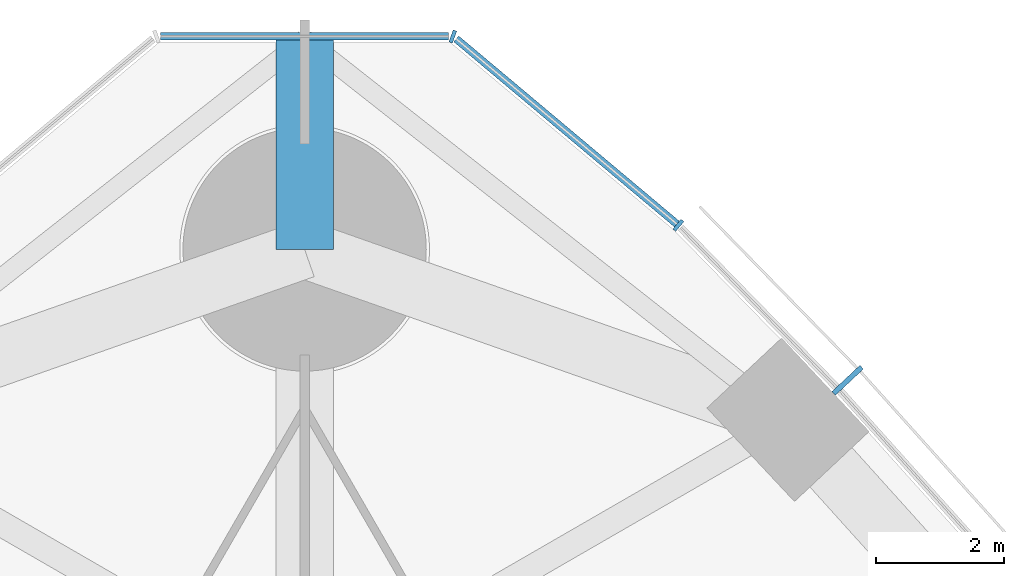
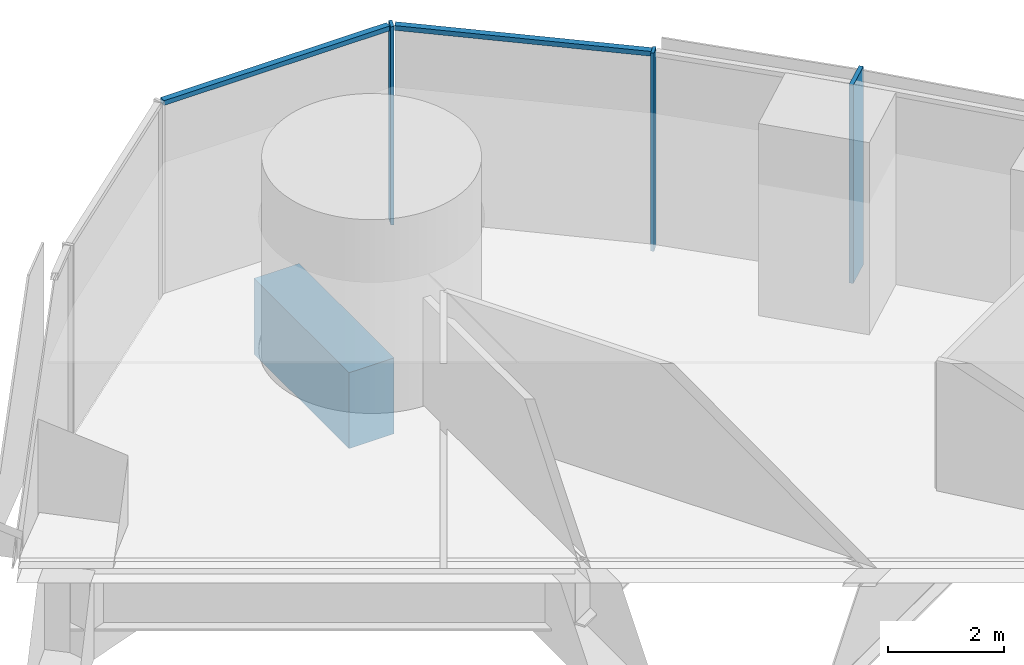
# One storey, part 8 of 19: 5 members, 1 beam, 2 elements without a shape of their own.
"""IFC4 building model written with IfcOpenShell, lengths in metres."""

from ifc_helpers import new_model, si_unit, direction, frame, origin, origin_2d, place, context, subcontext, project, spatial, rectangle, extrude, material, material_profile, profile_set, type_object, element, aggregate, save


model = new_model("IFC4")

# Units and contexts
model_context = context("Model", 3, precision=1e-05, world=origin(), true_north=direction((0.0, 1.0)))
body_context = subcontext(model_context, "Body", "Model", "MODEL_VIEW")
ifc_project = project(units=[si_unit("LENGTHUNIT", "METRE"), si_unit("AREAUNIT", "SQUARE_METRE"), si_unit("VOLUMEUNIT", "CUBIC_METRE"), si_unit("PLANEANGLEUNIT", "RADIAN"), si_unit("MASSUNIT", "GRAM", prefix="KILO")], contexts=[model_context])

# Site, building, storey
site_placement = place(None, origin())
site = spatial("IfcSite", under=ifc_project, at=site_placement, CompositionType="ELEMENT")
building_placement = place(site_placement, origin())
building = spatial("IfcBuilding", under=site, at=building_placement, Name="Trefoil Bronze Tower", CompositionType="ELEMENT")
storey_placement = place(building_placement, frame((0.0, 0.0, 193.89990234375)))
storey = spatial("IfcBuildingStorey", under=building, at=storey_placement, Name="L44", CompositionType="ELEMENT", Elevation=193.89990234375)

# Curtain wall, member
ifc_material_1 = material(Name="Tinted solar-control glass", Category="glass")
curtain_wall_type_1 = type_object("IfcCurtainWallType", Name="Bronze office curtain wall", PredefinedType="USERDEFINED", material=ifc_material_1)
curtain_wall_1_placement = place(storey_placement, origin())
curtain_wall_1 = element("IfcCurtainWall", 1, at=curtain_wall_1_placement, inside=storey, type_object=curtain_wall_type_1, Name="CW-A L44 F2", ObjectType="CURTAIN WALL", PredefinedType="USERDEFINED")
ifc_material_2 = material(Name="Bronze-finish aluminium", Category="aluminium")
ifc_material_profile_1 = material_profile(ifc_material_2, rectangle(XDim=0.60009765625, YDim=0.080078125, at=origin_2d()), Name="CW-A mullion")
ifc_profile_set_1 = profile_set([ifc_material_profile_1], Name="Bronze-finish aluminium")
member_type_1 = type_object("IfcMemberType", Name="Bronze office curtain wall mullion", PredefinedType="MULLION", material=ifc_profile_set_1)
member_1_placement = place(storey_placement, frame((8.482177734375, 30.95654296875, 0.0), z_axis=(0.0, 0.0, 1.0), x_axis=(-0.729859580661, -0.683597098091, 0.0)))
member_1 = element("IfcMember", 2, at=member_1_placement, type_object=member_type_1, Name="CW-A L44 F2 mullion 12", PredefinedType="MULLION", context=body_context, shape_type="SweptSolid", body=[
    extrude(rectangle(XDim=0.60009765625, YDim=0.080078125, at=origin_2d()), origin(), (0.0, 0.0, 1.0), 4.18017578125),
])
aggregate(curtain_wall_1, [member_1])

# Curtain wall, members
ifc_material_3 = material(Name="Tinted solar-control glass", Category="glass")
curtain_wall_type_2 = type_object("IfcCurtainWallType", Name="Bronze rounded corner curtain wall", PredefinedType="USERDEFINED", material=ifc_material_3)
curtain_wall_2_placement = place(storey_placement, origin())
curtain_wall_2 = element("IfcCurtainWall", 3, at=curtain_wall_2_placement, inside=storey, type_object=curtain_wall_type_2, Name="CW-B L44 K2", ObjectType="CURTAIN WALL", PredefinedType="USERDEFINED")
ifc_material_4 = material(Name="Bronze-finish aluminium", Category="aluminium")
ifc_material_profile_2 = material_profile(ifc_material_4, rectangle(XDim=0.199951171875, YDim=0.06005859375, at=origin_2d()), Name="CW-B mullion")
ifc_profile_set_2 = profile_set([ifc_material_profile_2], Name="Bronze-finish aluminium")
member_type_2 = type_object("IfcMemberType", Name="Bronze rounded corner curtain wall mullion", PredefinedType="MULLION", material=ifc_profile_set_2)
member_2_placement = place(storey_placement, frame((5.837890625, 33.3779296875, 0.0), z_axis=(0.0, 0.0, 1.0), x_axis=(-0.642787609687, -0.766044443119, 0.0)))
member_2 = element("IfcMember", 4, at=member_2_placement, type_object=member_type_2, Name="CW-B L44 K2 mullion 1", PredefinedType="MULLION", context=body_context, shape_type="SweptSolid", body=[
    extrude(rectangle(XDim=0.199951171875, YDim=0.06005859375, at=origin_2d()), origin(), (0.0, 0.0, 1.0), 4.18017578125),
])
member_3_placement = place(storey_placement, frame((2.314453125, 36.326416015625, 0.0), z_axis=(0.0, 0.0, 1.0), x_axis=(-0.342020143326, -0.939692620786, 0.0)))
member_3 = element("IfcMember", 5, at=member_3_placement, type_object=member_type_2, Name="CW-B L44 K2 mullion 2", PredefinedType="MULLION", context=body_context, shape_type="SweptSolid", body=[
    extrude(rectangle(XDim=0.199951171875, YDim=0.06005859375, at=origin_2d()), origin(), (0.0, 0.0, 1.0), 4.18017578125),
])
ifc_material_5 = material(Name="Bronze-finish aluminium", Category="aluminium")
ifc_material_profile_3 = material_profile(ifc_material_5, rectangle(XDim=0.1201171875, YDim=0.10009765625, at=origin_2d()), Name="CW-B transom")
ifc_profile_set_3 = profile_set([ifc_material_profile_3], Name="Bronze-finish aluminium")
member_type_3 = type_object("IfcMemberType", Name="Bronze rounded corner curtain wall transom", PredefinedType="USERDEFINED", material=ifc_profile_set_3)
member_4_placement = place(storey_placement, frame((5.814697265625, 33.397216796875, 4.130126953125), z_axis=(-0.766046761698, 0.642784846501, 0.0), x_axis=(-0.642784846501, -0.766046761698, 0.0)))
member_4 = element("IfcMember", 6, at=member_4_placement, type_object=member_type_3, Name="CW-B L44 K2 transom 1", ObjectType="TRANSOM", PredefinedType="USERDEFINED", context=body_context, shape_type="SweptSolid", body=[
    extrude(rectangle(XDim=0.1201171875, YDim=0.10009765625, at=origin_2d()), origin(), (0.0, 0.0, 1.0), 4.5),
])
member_5_placement = place(storey_placement, frame((2.250244140625, 36.33251953125, 4.130126953125), z_axis=(-1.0, 0.0, 0.0), x_axis=(0.0, -1.0, 0.0)))
member_5 = element("IfcMember", 7, at=member_5_placement, type_object=member_type_3, Name="CW-B L44 K2 transom 2", ObjectType="TRANSOM", PredefinedType="USERDEFINED", context=body_context, shape_type="SweptSolid", body=[
    extrude(rectangle(XDim=0.1201171875, YDim=0.10009765625, at=origin_2d()), origin(), (0.0, 0.0, 1.0), 4.50048828125),
])
aggregate(curtain_wall_2, [member_2, member_3, member_4, member_5])

# Beam
ifc_material_6 = material(Name="Concrete B80", Category="concrete")
ifc_material_profile_4 = material_profile(ifc_material_6, rectangle(XDim=0.89990234375, YDim=1.60009765625, at=origin_2d()), Name="RC 900x1600")
ifc_profile_set_4 = profile_set([ifc_material_profile_4], Name="Concrete B80")
beam_type = type_object("IfcBeamType", Name="Corner cantilever RC 900x1600", PredefinedType="BEAM", material=ifc_profile_set_4)
beam_placement = place(storey_placement, frame((0.0, 33.0, -1.0), z_axis=(0.0, 1.0, 0.0), x_axis=(-1.0, 0.0, 0.0)))
element("IfcBeam", 8, at=beam_placement, inside=storey, type_object=beam_type, Name="Corner cantilever K2 L44", PredefinedType="BEAM", context=body_context, shape_type="SweptSolid", body=[
    extrude(rectangle(XDim=0.89990234375, YDim=1.60009765625, at=origin_2d()), origin(), (0.0, 0.0, 1.0), 3.28466796875),
])

save(model, "model.ifc")
